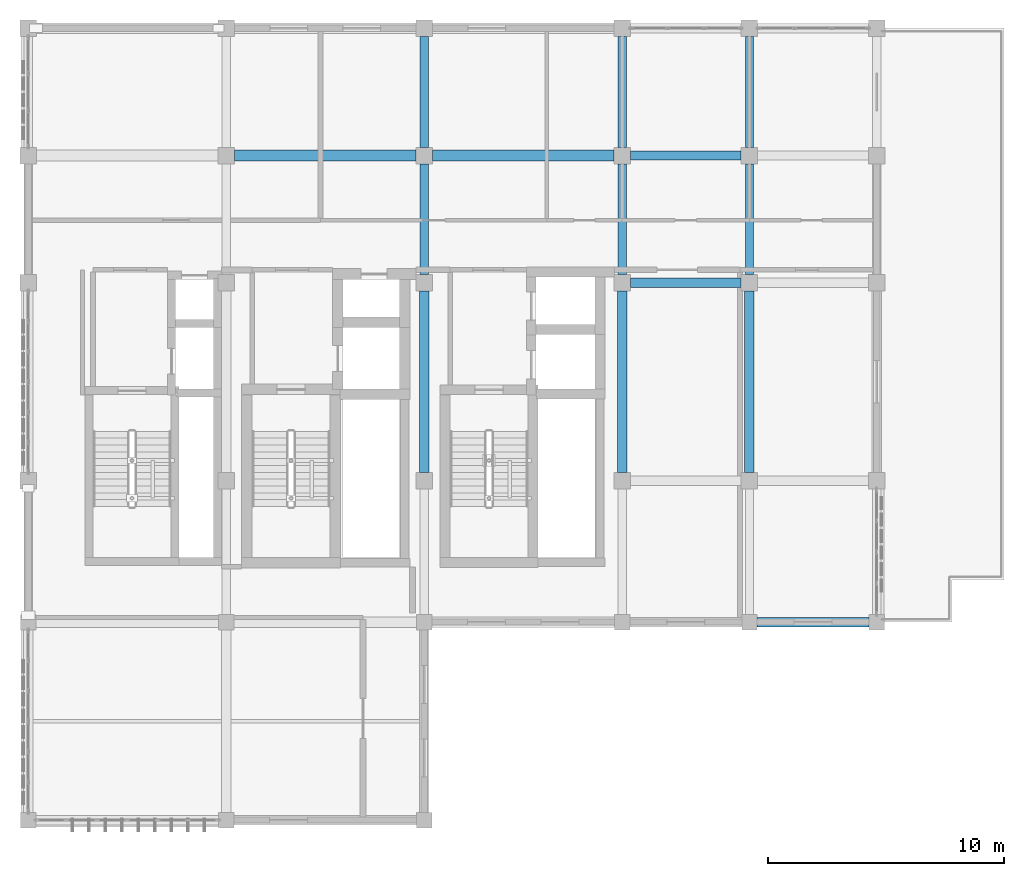
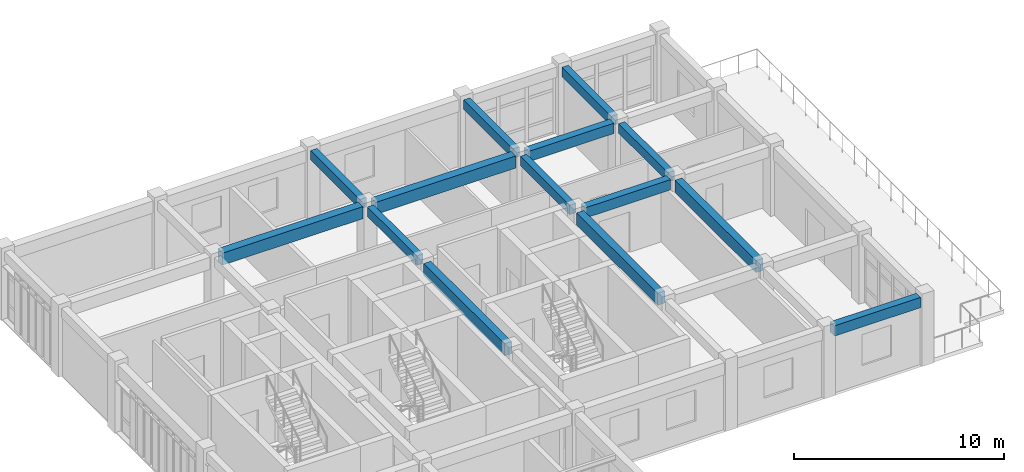
# One storey, part 11 of 23: 14 beams.
"""IFC4 building model written with IfcOpenShell, lengths in metres."""

from ifc_helpers import new_model, si_unit, direction, frame, origin, origin_2d, place, context, subcontext, project, spatial, rectangle, extrude, material, material_profile, profile_set, type_object, element, save


model = new_model("IFC4")

# Units and contexts
model_context = context("Model", 3, precision=1e-05, world=origin(), true_north=direction((0.0, 1.0)))
body_context = subcontext(model_context, "Body", "Model", "MODEL_VIEW")
ifc_project = project(units=[si_unit("LENGTHUNIT", "METRE"), si_unit("AREAUNIT", "SQUARE_METRE"), si_unit("VOLUMEUNIT", "CUBIC_METRE"), si_unit("PLANEANGLEUNIT", "RADIAN"), si_unit("MASSUNIT", "GRAM", prefix="KILO")], contexts=[model_context])

# Site, building, storey
site_placement = place(None, origin())
site = spatial("IfcSite", under=ifc_project, at=site_placement, CompositionType="ELEMENT")
building_placement = place(site_placement, origin())
building = spatial("IfcBuilding", under=site, at=building_placement, Name="Krzemoval Escarpment Law Courts", CompositionType="ELEMENT")
storey_placement = place(building_placement, frame((0.0, 0.0, 33.60009765625)))
storey = spatial("IfcBuildingStorey", under=building, at=storey_placement, Name="L07", CompositionType="ELEMENT", Elevation=33.60009765625)

# Beams
ifc_material_1 = material(Name="Concrete C40/50", Category="concrete")
ifc_material_profile_1 = material_profile(ifc_material_1, rectangle(XDim=0.35009765625, YDim=0.550048828125, at=origin_2d()), Name="RCB 350x550")
ifc_profile_set_1 = profile_set([ifc_material_profile_1], Name="Concrete C40/50")
beam_type_1 = type_object("IfcBeamType", Name="BM-RC-350x550", PredefinedType="BEAM", material=ifc_profile_set_1)
for number, where, z_axis, x_axis, name in (
    (1, (142.800048828125, 108.35009765625, 3.6748046875), (0.0, 1.0, 0.0), (-1.0, 0.0, 0.0), "Beam FG-L07-2727"),
    (2, (142.800048828125, 113.75, 3.6748046875), (0.0, 1.0, 0.0), (-1.0, 0.0, 0.0), "Beam FG-L07-2728"),
    (3, (151.199951171875, 108.35009765625, 3.6748046875), (0.0, 1.0, 0.0), (-1.0, 0.0, 0.0), "Beam FG-L07-2731"),
    (4, (151.199951171875, 113.75, 3.6748046875), (0.0, 1.0, 0.0), (-1.0, 0.0, 0.0), "Beam FG-L07-2732"),
    (5, (156.60009765625, 108.35009765625, 3.6748046875), (0.0, 1.0, 0.0), (-1.0, 0.0, 0.0), "Beam FG-L07-2735"),
    (6, (156.60009765625, 113.75, 3.6748046875), (0.0, 1.0, 0.0), (-1.0, 0.0, 0.0), "Beam FG-L07-2736"),
):
    element("IfcBeam", number, at=place(storey_placement, frame(where, z_axis=z_axis, x_axis=x_axis)), inside=storey, type_object=beam_type_1, Name=name, PredefinedType="BEAM", context=body_context, shape_type="SweptSolid", body=[
        extrude(rectangle(XDim=0.35009765625, YDim=0.550048828125, at=origin_2d()), origin(), (0.0, 0.0, 1.0), 4.699951171875),
    ])
ifc_material_2 = material(Name="Concrete C40/50", Category="concrete")
ifc_material_profile_2 = material_profile(ifc_material_2, rectangle(XDim=0.39990234375, YDim=0.60009765625, at=origin_2d()), Name="RCB 400x600")
ifc_profile_set_2 = profile_set([ifc_material_profile_2], Name="Concrete C40/50")
beam_type_2 = type_object("IfcBeamType", Name="BM-RC-400x600", PredefinedType="BEAM", material=ifc_profile_set_2)
beam_1_placement = place(storey_placement, frame((156.925048828125, 93.60009765625, 3.64990234375), z_axis=(1.0, 0.0, 0.0), x_axis=(0.0, 1.0, 0.0)))
element("IfcBeam", 7, at=beam_1_placement, inside=storey, type_object=beam_type_2, Name="Beam FG-L07-2699", PredefinedType="BEAM", context=body_context, shape_type="SweptSolid", body=[
    extrude(rectangle(XDim=0.39990234375, YDim=0.60009765625, at=origin_2d()), origin(), (0.0, 0.0, 1.0), 4.75),
])
for number, where, z_axis, x_axis, name in (
    (8, (151.550048828125, 108.0, 3.64990234375), (1.0, 0.0, 0.0), (0.0, 1.0, 0.0), "Beam FG-L07-2702"),
    (9, (151.550048828125, 113.39990234375, 3.64990234375), (1.0, 0.0, 0.0), (0.0, 1.0, 0.0), "Beam FG-L07-2707"),
):
    element("IfcBeam", number, at=place(storey_placement, frame(where, z_axis=z_axis, x_axis=x_axis)), inside=storey, type_object=beam_type_2, Name=name, PredefinedType="BEAM", context=body_context, shape_type="SweptSolid", body=[
        extrude(rectangle(XDim=0.39990234375, YDim=0.60009765625, at=origin_2d()), origin(), (0.0, 0.0, 1.0), 4.699951171875),
    ])
ifc_material_3 = material(Name="Concrete C40/50", Category="concrete")
ifc_material_profile_3 = material_profile(ifc_material_3, rectangle(XDim=0.39990234375, YDim=0.699951171875, at=origin_2d()), Name="RCB 400x700")
ifc_profile_set_3 = profile_set([ifc_material_profile_3], Name="Concrete C40/50")
beam_type_3 = type_object("IfcBeamType", Name="BM-RC-400x700", PredefinedType="BEAM", material=ifc_profile_set_3)
for number, where, z_axis, x_axis, name in (
    (10, (142.800048828125, 99.949951171875, 3.599853515625), (0.0, 1.0, 0.0), (-1.0, 0.0, 0.0), "Beam FG-L07-2726"),
    (11, (151.199951171875, 99.949951171875, 3.599853515625), (0.0, 1.0, 0.0), (-1.0, 0.0, 0.0), "Beam FG-L07-2730"),
    (12, (156.60009765625, 99.949951171875, 3.599853515625), (0.0, 1.0, 0.0), (-1.0, 0.0, 0.0), "Beam FG-L07-2734"),
):
    element("IfcBeam", number, at=place(storey_placement, frame(where, z_axis=z_axis, x_axis=x_axis)), inside=storey, type_object=beam_type_3, Name=name, PredefinedType="BEAM", context=body_context, shape_type="SweptSolid", body=[
        extrude(rectangle(XDim=0.39990234375, YDim=0.699951171875, at=origin_2d()), origin(), (0.0, 0.0, 1.0), 7.699951171875),
    ])
ifc_material_4 = material(Name="Concrete C40/50", Category="concrete")
ifc_material_profile_4 = material_profile(ifc_material_4, rectangle(XDim=0.449951171875, YDim=0.699951171875, at=origin_2d()), Name="RCB 450x700")
ifc_profile_set_4 = profile_set([ifc_material_profile_4], Name="Concrete C40/50")
beam_type_4 = type_object("IfcBeamType", Name="BM-RC-450x700", PredefinedType="BEAM", material=ifc_profile_set_4)
beam_2_placement = place(storey_placement, frame((134.75, 113.39990234375, 3.599853515625), z_axis=(1.0, 0.0, 0.0), x_axis=(0.0, 1.0, 0.0)))
element("IfcBeam", 13, at=beam_2_placement, inside=storey, type_object=beam_type_4, Name="Beam FG-L07-2705", PredefinedType="BEAM", context=body_context, shape_type="SweptSolid", body=[
    extrude(rectangle(XDim=0.449951171875, YDim=0.699951171875, at=origin_2d()), origin(), (0.0, 0.0, 1.0), 7.699951171875),
])
beam_3_placement = place(storey_placement, frame((143.14990234375, 113.39990234375, 3.599853515625), z_axis=(1.0, 0.0, 0.0), x_axis=(0.0, 1.0, 0.0)))
element("IfcBeam", 14, at=beam_3_placement, inside=storey, type_object=beam_type_4, Name="Beam FG-L07-2706", PredefinedType="BEAM", context=body_context, shape_type="SweptSolid", body=[
    extrude(rectangle(XDim=0.449951171875, YDim=0.699951171875, at=origin_2d()), origin(), (0.0, 0.0, 1.0), 7.7001953125),
])

save(model, "model.ifc")
